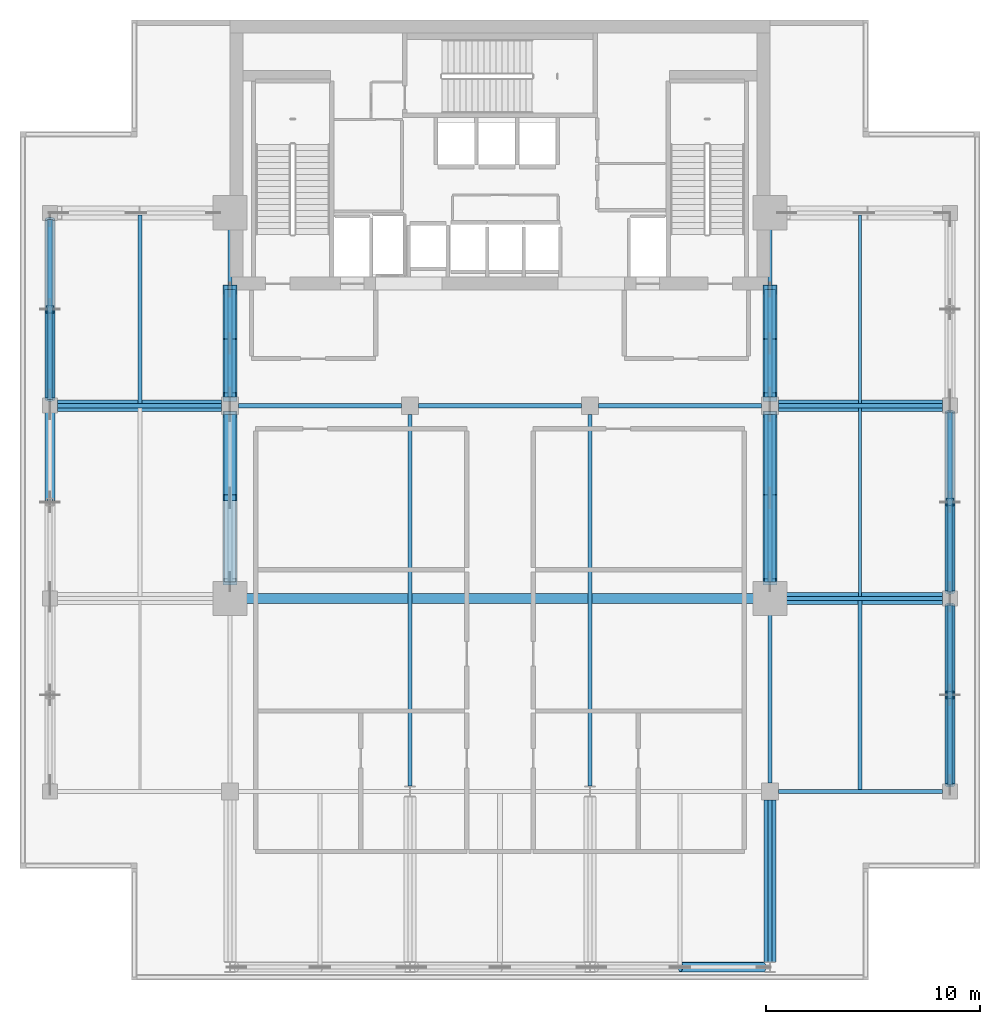
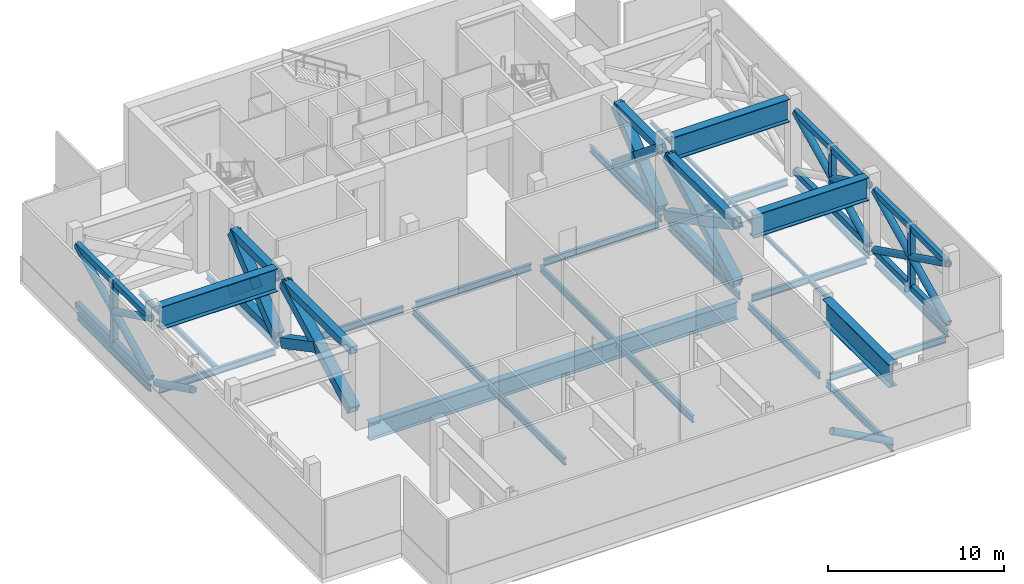
# One storey, part 2 of 11: 36 members, 26 beams.
"""IFC4 building model written with IfcOpenShell, lengths in metres."""

from ifc_helpers import new_model, si_unit, direction, frame, origin, origin_2d, place, context, subcontext, project, spatial, hollow_rectangle, hollow_circle, i_section, extrude, material, material_profile, profile_set, type_object, element, save


model = new_model("IFC4")

# Units and contexts
model_context = context("Model", 3, precision=1e-05, world=origin(), true_north=direction((0.0, 1.0)))
body_context = subcontext(model_context, "Body", "Model", "MODEL_VIEW")
ifc_project = project(units=[si_unit("LENGTHUNIT", "METRE"), si_unit("AREAUNIT", "SQUARE_METRE"), si_unit("VOLUMEUNIT", "CUBIC_METRE"), si_unit("PLANEANGLEUNIT", "RADIAN"), si_unit("MASSUNIT", "GRAM", prefix="KILO")], contexts=[model_context])

# Site, building, storey
site_placement = place(None, origin())
site = spatial("IfcSite", under=ifc_project, at=site_placement, CompositionType="ELEMENT")
building_placement = place(site_placement, origin())
building = spatial("IfcBuilding", under=site, at=building_placement, Name="Maruvema Waterfront Hotel and Observation Tower", CompositionType="ELEMENT")
storey_placement = place(building_placement, frame((0.0, 0.0, 316.39990234375)))
storey = spatial("IfcBuildingStorey", under=building, at=storey_placement, Name="L78", CompositionType="ELEMENT", Elevation=316.39990234375)

# Members
ifc_material_1 = material(Name="Steel ABNT NBR 7007 AR 415 (ASTM A572 Grade 50)", Category="steel")
ifc_material_profile_1 = material_profile(ifc_material_1, hollow_rectangle(XDim=0.5, YDim=0.5, WallThickness=0.028076171875, at=origin_2d()), Name="SHS500x500x28.0")
ifc_profile_set_1 = profile_set([ifc_material_profile_1], Name="Steel ABNT NBR 7007 AR 415 (ASTM A572 Grade 50)")
member_type_1 = type_object("IfcMemberType", Name="Outrigger Truss Chord SHS500x500x28.0", PredefinedType="CHORD", material=ifc_profile_set_1)
member_1_placement = place(storey_placement, frame((25.199951171875, 27.780029296875, 4.380126953125), z_axis=(0.0, 1.0, 0.0), x_axis=(-1.0, 0.0, 0.0)))
element("IfcMember", 1, at=member_1_placement, inside=storey, type_object=member_type_1, Name="L78 Outrigger Truss Top Chord W1", PredefinedType="CHORD", context=body_context, shape_type="SweptSolid", body=[
    extrude(hollow_rectangle(XDim=0.5, YDim=0.5, WallThickness=0.028076171875, at=origin_2d()), origin(), (0.0, 0.0, 1.0), 7.820068359375),
])
for number, where, z_axis, x_axis, name in (
    (2, (25.199951171875, 36.39990234375, 0.25), (0.0, 1.0, 0.0), (-1.0, 0.0, 0.0), "L78 Outrigger Truss Bottom Chord W2"),
    (3, (25.199951171875, 36.39990234375, 4.380126953125), (0.0, 1.0, 0.0), (-1.0, 0.0, 0.0), "L78 Outrigger Truss Top Chord W2"),
):
    element("IfcMember", number, at=place(storey_placement, frame(where, z_axis=z_axis, x_axis=x_axis)), inside=storey, type_object=member_type_1, Name=name, PredefinedType="CHORD", context=body_context, shape_type="SweptSolid", body=[
        extrude(hollow_rectangle(XDim=0.5, YDim=0.5, WallThickness=0.028076171875, at=origin_2d()), origin(), (0.0, 0.0, 1.0), 5.02001953125),
    ])
for number, where, z_axis, x_axis, name in (
    (4, (50.39990234375, 27.780029296875, 0.25), (0.0, 1.0, 0.0), (-1.0, 0.0, 0.0), "L78 Outrigger Truss Bottom Chord E1"),
    (5, (50.39990234375, 27.780029296875, 4.380126953125), (0.0, 1.0, 0.0), (-1.0, 0.0, 0.0), "L78 Outrigger Truss Top Chord E1"),
):
    element("IfcMember", number, at=place(storey_placement, frame(where, z_axis=z_axis, x_axis=x_axis)), inside=storey, type_object=member_type_1, Name=name, PredefinedType="CHORD", context=body_context, shape_type="SweptSolid", body=[
        extrude(hollow_rectangle(XDim=0.5, YDim=0.5, WallThickness=0.028076171875, at=origin_2d()), origin(), (0.0, 0.0, 1.0), 7.820068359375),
    ])
for number, where, z_axis, x_axis, name in (
    (6, (50.39990234375, 36.39990234375, 0.25), (0.0, 1.0, 0.0), (-1.0, 0.0, 0.0), "L78 Outrigger Truss Bottom Chord E2"),
    (7, (50.39990234375, 36.39990234375, 4.380126953125), (0.0, 1.0, 0.0), (-1.0, 0.0, 0.0), "L78 Outrigger Truss Top Chord E2"),
):
    element("IfcMember", number, at=place(storey_placement, frame(where, z_axis=z_axis, x_axis=x_axis)), inside=storey, type_object=member_type_1, Name=name, PredefinedType="CHORD", context=body_context, shape_type="SweptSolid", body=[
        extrude(hollow_rectangle(XDim=0.5, YDim=0.5, WallThickness=0.028076171875, at=origin_2d()), origin(), (0.0, 0.0, 1.0), 5.02001953125),
    ])
ifc_material_2 = material(Name="Steel ABNT NBR 7007 AR 415 (ASTM A572 Grade 50)", Category="steel")
ifc_material_profile_2 = material_profile(ifc_material_2, hollow_rectangle(XDim=0.64990234375, YDim=0.64990234375, WallThickness=0.035888671875, at=origin_2d()), Name="SHS650x650x36.0")
ifc_profile_set_2 = profile_set([ifc_material_profile_2], Name="Steel ABNT NBR 7007 AR 415 (ASTM A572 Grade 50)")
member_type_2 = type_object("IfcMemberType", Name="Outrigger Truss Diagonal SHS650x650x36.0", PredefinedType="BRACE", material=ifc_profile_set_2)
member_2_placement = place(storey_placement, frame((25.199951171875, 27.780029296875, 0.25), z_axis=(0.0, 0.884250817735, 0.467012303194), x_axis=(-1.0, 0.0, 0.0)))
element("IfcMember", 8, at=member_2_placement, inside=storey, type_object=member_type_2, Name="L78 Outrigger Truss Diagonal W1 Continuous A", PredefinedType="BRACE", context=body_context, shape_type="SweptSolid", body=[
    extrude(hollow_rectangle(XDim=0.64990234375, YDim=0.64990234375, WallThickness=0.035888671875, at=origin_2d()), origin(), (0.0, 0.0, 1.0), 8.84375),
])
member_3_placement = place(storey_placement, frame((25.199951171875, 35.60009765625, 0.25), z_axis=(0.0, -0.884232712279, 0.467046582833), x_axis=(1.0, 0.0, 0.0)))
element("IfcMember", 9, at=member_3_placement, inside=storey, type_object=member_type_2, Name="L78 Outrigger Truss Diagonal W1 Split Lower B1", PredefinedType="BRACE", context=body_context, shape_type="SweptSolid", body=[
    extrude(hollow_rectangle(XDim=0.64990234375, YDim=0.64990234375, WallThickness=0.035888671875, at=origin_2d()), origin(), (0.0, 0.0, 1.0), 4.40185546875),
])
member_4_placement = place(storey_placement, frame((25.199951171875, 36.39990234375, 0.25), z_axis=(0.0, 0.77223261196, 0.635339903537), x_axis=(-1.0, 0.0, 0.0)))
element("IfcMember", 10, at=member_4_placement, inside=storey, type_object=member_type_2, Name="L78 Outrigger Truss Diagonal W2 Continuous A", PredefinedType="BRACE", context=body_context, shape_type="SweptSolid", body=[
    extrude(hollow_rectangle(XDim=0.64990234375, YDim=0.64990234375, WallThickness=0.035888671875, at=origin_2d()), origin(), (0.0, 0.0, 1.0), 6.500732421875),
])
member_5_placement = place(storey_placement, frame((25.199951171875, 41.419921875, 0.25), z_axis=(0.0, -0.772220298989, 0.635354869211), x_axis=(1.0, 0.0, 0.0)))
element("IfcMember", 11, at=member_5_placement, inside=storey, type_object=member_type_2, Name="L78 Outrigger Truss Diagonal W2 Split Lower B1", PredefinedType="BRACE", context=body_context, shape_type="SweptSolid", body=[
    extrude(hollow_rectangle(XDim=0.64990234375, YDim=0.64990234375, WallThickness=0.035888671875, at=origin_2d()), origin(), (0.0, 0.0, 1.0), 3.23046875),
])
member_6_placement = place(storey_placement, frame((25.199951171875, 38.89453125, 2.327880859375), z_axis=(0.0, -0.77225737887, 0.635309799059), x_axis=(1.0, 0.0, 0.0)))
element("IfcMember", 12, at=member_6_placement, inside=storey, type_object=member_type_2, Name="L78 Outrigger Truss Diagonal W2 Split Upper B2", PredefinedType="BRACE", context=body_context, shape_type="SweptSolid", body=[
    extrude(hollow_rectangle(XDim=0.64990234375, YDim=0.64990234375, WallThickness=0.035888671875, at=origin_2d()), origin(), (0.0, 0.0, 1.0), 3.230224609375),
])
member_7_placement = place(storey_placement, frame((50.39990234375, 27.780029296875, 0.25), z_axis=(0.0, 0.884250817735, 0.467012303194), x_axis=(-1.0, 0.0, 0.0)))
element("IfcMember", 13, at=member_7_placement, inside=storey, type_object=member_type_2, Name="L78 Outrigger Truss Diagonal E1 Continuous A", PredefinedType="BRACE", context=body_context, shape_type="SweptSolid", body=[
    extrude(hollow_rectangle(XDim=0.64990234375, YDim=0.64990234375, WallThickness=0.035888671875, at=origin_2d()), origin(), (0.0, 0.0, 1.0), 8.84375),
])
for number, where, z_axis, x_axis, name in (
    (14, (50.39990234375, 35.60009765625, 0.25), (0.0, -0.884232712279, 0.467046582833), (1.0, 0.0, 0.0), "L78 Outrigger Truss Diagonal E1 Split Lower B1"),
    (15, (50.39990234375, 31.67236328125, 2.324462890625), (0.0, -0.88425561644, 0.467003217113), (1.0, 0.0, 0.0), "L78 Outrigger Truss Diagonal E1 Split Upper B2"),
):
    element("IfcMember", number, at=place(storey_placement, frame(where, z_axis=z_axis, x_axis=x_axis)), inside=storey, type_object=member_type_2, Name=name, PredefinedType="BRACE", context=body_context, shape_type="SweptSolid", body=[
        extrude(hollow_rectangle(XDim=0.64990234375, YDim=0.64990234375, WallThickness=0.035888671875, at=origin_2d()), origin(), (0.0, 0.0, 1.0), 4.40185546875),
    ])
member_8_placement = place(storey_placement, frame((50.39990234375, 36.39990234375, 0.25), z_axis=(0.0, 0.77223261196, 0.635339903537), x_axis=(-1.0, 0.0, 0.0)))
element("IfcMember", 16, at=member_8_placement, inside=storey, type_object=member_type_2, Name="L78 Outrigger Truss Diagonal E2 Continuous A", PredefinedType="BRACE", context=body_context, shape_type="SweptSolid", body=[
    extrude(hollow_rectangle(XDim=0.64990234375, YDim=0.64990234375, WallThickness=0.035888671875, at=origin_2d()), origin(), (0.0, 0.0, 1.0), 6.500732421875),
])
member_9_placement = place(storey_placement, frame((50.39990234375, 41.419921875, 0.25), z_axis=(0.0, -0.772220298989, 0.635354869211), x_axis=(1.0, 0.0, 0.0)))
element("IfcMember", 17, at=member_9_placement, inside=storey, type_object=member_type_2, Name="L78 Outrigger Truss Diagonal E2 Split Lower B1", PredefinedType="BRACE", context=body_context, shape_type="SweptSolid", body=[
    extrude(hollow_rectangle(XDim=0.64990234375, YDim=0.64990234375, WallThickness=0.035888671875, at=origin_2d()), origin(), (0.0, 0.0, 1.0), 3.23046875),
])
member_10_placement = place(storey_placement, frame((50.39990234375, 38.89453125, 2.327880859375), z_axis=(0.0, -0.77225737887, 0.635309799059), x_axis=(1.0, 0.0, 0.0)))
element("IfcMember", 18, at=member_10_placement, inside=storey, type_object=member_type_2, Name="L78 Outrigger Truss Diagonal E2 Split Upper B2", PredefinedType="BRACE", context=body_context, shape_type="SweptSolid", body=[
    extrude(hollow_rectangle(XDim=0.64990234375, YDim=0.64990234375, WallThickness=0.035888671875, at=origin_2d()), origin(), (0.0, 0.0, 1.0), 3.230224609375),
])
ifc_material_3 = material(Name="Steel ABNT NBR 7007 AR 415 (ASTM A572 Grade 50)", Category="steel")
ifc_material_profile_3 = material_profile(ifc_material_3, hollow_rectangle(XDim=0.300048828125, YDim=0.39990234375, WallThickness=0.02001953125, at=origin_2d()), Name="RHS400x300x20.0")
ifc_profile_set_3 = profile_set([ifc_material_profile_3], Name="Steel ABNT NBR 7007 AR 415 (ASTM A572 Grade 50)")
member_type_3 = type_object("IfcMemberType", Name="Perimeter Belt Truss Chord RHS400x300x20.0", PredefinedType="CHORD", material=ifc_profile_set_3)
for number, where, z_axis, x_axis, name in (
    (19, (16.800048828125, 36.300048828125, 0.25), (0.0, 1.0, 0.0), (-1.0, 0.0, 0.0), "L78 Perimeter Belt Truss Chord W3"),
    (20, (16.800048828125, 36.300048828125, 4.380126953125), (0.0, 1.0, 0.0), (-1.0, 0.0, 0.0), "L78 Perimeter Belt Truss Top Chord W3"),
    (21, (58.800048828125, 18.300048828125, 0.25), (0.0, 1.0, 0.0), (-1.0, 0.0, 0.0), "L78 Perimeter Belt Truss Chord E4"),
    (22, (58.800048828125, 18.300048828125, 4.380126953125), (0.0, 1.0, 0.0), (-1.0, 0.0, 0.0), "L78 Perimeter Belt Truss Top Chord E4"),
    (23, (58.800048828125, 27.300048828125, 0.25), (0.0, 1.0, 0.0), (-1.0, 0.0, 0.0), "L78 Perimeter Belt Truss Chord E5"),
    (24, (58.800048828125, 27.300048828125, 4.380126953125), (0.0, 1.0, 0.0), (-1.0, 0.0, 0.0), "L78 Perimeter Belt Truss Top Chord E5"),
):
    element("IfcMember", number, at=place(storey_placement, frame(where, z_axis=z_axis, x_axis=x_axis)), inside=storey, type_object=member_type_3, Name=name, PredefinedType="CHORD", context=body_context, shape_type="SweptSolid", body=[
        extrude(hollow_rectangle(XDim=0.300048828125, YDim=0.39990234375, WallThickness=0.02001953125, at=origin_2d()), origin(), (0.0, 0.0, 1.0), 8.39990234375),
    ])
ifc_material_4 = material(Name="Steel ABNT NBR 7007 AR 350 (ASTM A572 Grade 50)", Category="steel")
ifc_material_profile_4 = material_profile(ifc_material_4, hollow_circle(Radius=0.228515625, WallThickness=0.02001953125, at=origin_2d()), Name="CHS457.0x20.0")
ifc_profile_set_4 = profile_set([ifc_material_profile_4], Name="Steel ABNT NBR 7007 AR 350 (ASTM A572 Grade 50)")
member_type_4 = type_object("IfcMemberType", Name="Perimeter Belt Truss Diagonal CHS457.0x20.0", PredefinedType="BRACE", material=ifc_profile_set_4)
member_11_placement = place(storey_placement, frame((16.800048828125, 35.699951171875, 0.25), z_axis=(0.0, -0.897382953246, 0.441252575317), x_axis=(1.0, 0.0, 0.0)))
element("IfcMember", 25, at=member_11_placement, inside=storey, type_object=member_type_4, Name="L78 Perimeter Belt Truss Diagonal W2 Split Lower B1", PredefinedType="BRACE", context=body_context, shape_type="SweptSolid", body=[
    extrude(hollow_circle(Radius=0.228515625, WallThickness=0.02001953125, at=origin_2d()), origin(), (0.0, 0.0, 1.0), 4.660400390625),
])
member_12_placement = place(storey_placement, frame((16.800048828125, 36.300048828125, 0.25), z_axis=(0.0, 0.897391109311, 0.441235987799), x_axis=(-1.0, 0.0, 0.0)))
element("IfcMember", 26, at=member_12_placement, inside=storey, type_object=member_type_4, Name="L78 Perimeter Belt Truss Diagonal W3 Continuous A", PredefinedType="BRACE", context=body_context, shape_type="SweptSolid", body=[
    extrude(hollow_circle(Radius=0.228515625, WallThickness=0.02001953125, at=origin_2d()), origin(), (0.0, 0.0, 1.0), 9.3603515625),
])
member_13_placement = place(storey_placement, frame((16.800048828125, 40.482177734375, 2.323974609375), z_axis=(0.0, -0.8974036964, 0.441210387103), x_axis=(1.0, 0.0, 0.0)))
element("IfcMember", 27, at=member_13_placement, inside=storey, type_object=member_type_4, Name="L78 Perimeter Belt Truss Diagonal W3 Split Upper B2", PredefinedType="BRACE", context=body_context, shape_type="SweptSolid", body=[
    extrude(hollow_circle(Radius=0.228515625, WallThickness=0.02001953125, at=origin_2d()), origin(), (0.0, 0.0, 1.0), 4.66015625),
])
member_14_placement = place(storey_placement, frame((58.800048828125, 18.300048828125, 0.25), z_axis=(0.0, 0.897391109311, 0.441235987799), x_axis=(-1.0, 0.0, 0.0)))
element("IfcMember", 28, at=member_14_placement, inside=storey, type_object=member_type_4, Name="L78 Perimeter Belt Truss Diagonal E4 Continuous A", PredefinedType="BRACE", context=body_context, shape_type="SweptSolid", body=[
    extrude(hollow_circle(Radius=0.228515625, WallThickness=0.02001953125, at=origin_2d()), origin(), (0.0, 0.0, 1.0), 9.3603515625),
])
member_15_placement = place(storey_placement, frame((58.800048828125, 26.699951171875, 0.25), z_axis=(0.0, -0.897382953246, 0.441252575317), x_axis=(1.0, 0.0, 0.0)))
element("IfcMember", 29, at=member_15_placement, inside=storey, type_object=member_type_4, Name="L78 Perimeter Belt Truss Diagonal E4 Split Lower B1", PredefinedType="BRACE", context=body_context, shape_type="SweptSolid", body=[
    extrude(hollow_circle(Radius=0.228515625, WallThickness=0.02001953125, at=origin_2d()), origin(), (0.0, 0.0, 1.0), 4.660400390625),
])
member_16_placement = place(storey_placement, frame((58.800048828125, 22.482177734375, 2.323974609375), z_axis=(0.0, -0.8974036964, 0.441210387103), x_axis=(1.0, 0.0, 0.0)))
element("IfcMember", 30, at=member_16_placement, inside=storey, type_object=member_type_4, Name="L78 Perimeter Belt Truss Diagonal E4 Split Upper B2", PredefinedType="BRACE", context=body_context, shape_type="SweptSolid", body=[
    extrude(hollow_circle(Radius=0.228515625, WallThickness=0.02001953125, at=origin_2d()), origin(), (0.0, 0.0, 1.0), 4.66015625),
])
member_17_placement = place(storey_placement, frame((58.800048828125, 27.300048828125, 0.25), z_axis=(0.0, 0.897391109311, 0.441235987799), x_axis=(-1.0, 0.0, 0.0)))
element("IfcMember", 31, at=member_17_placement, inside=storey, type_object=member_type_4, Name="L78 Perimeter Belt Truss Diagonal E5 Continuous A", PredefinedType="BRACE", context=body_context, shape_type="SweptSolid", body=[
    extrude(hollow_circle(Radius=0.228515625, WallThickness=0.02001953125, at=origin_2d()), origin(), (0.0, 0.0, 1.0), 9.3603515625),
])
member_18_placement = place(storey_placement, frame((58.800048828125, 31.482177734375, 2.323974609375), z_axis=(0.0, -0.8974036964, 0.441210387103), x_axis=(1.0, 0.0, 0.0)))
element("IfcMember", 32, at=member_18_placement, inside=storey, type_object=member_type_4, Name="L78 Perimeter Belt Truss Diagonal E5 Split Upper B2", PredefinedType="BRACE", context=body_context, shape_type="SweptSolid", body=[
    extrude(hollow_circle(Radius=0.228515625, WallThickness=0.02001953125, at=origin_2d()), origin(), (0.0, 0.0, 1.0), 4.66015625),
])
member_19_placement = place(storey_placement, frame((50.10009765625, 9.800048828125, 0.25), z_axis=(-0.883758174274, 0.0, 0.467943895572), x_axis=(0.0, -1.0, 0.0)))
element("IfcMember", 33, at=member_19_placement, inside=storey, type_object=member_type_4, Name="L78 South Perimeter Belt Truss Diagonal 3 Split Lower B1", PredefinedType="BRACE", context=body_context, shape_type="SweptSolid", body=[
    extrude(hollow_circle(Radius=0.228515625, WallThickness=0.02001953125, at=origin_2d()), origin(), (0.0, 0.0, 1.0), 4.39306640625),
])
ifc_material_5 = material(Name="Steel ABNT NBR 7007 AR 415 (ASTM A572 Grade 50)", Category="steel")
ifc_material_profile_5 = material_profile(ifc_material_5, hollow_rectangle(XDim=0.35009765625, YDim=0.35009765625, WallThickness=0.02001953125, at=origin_2d()), Name="SHS350x350x20.0")
ifc_profile_set_5 = profile_set([ifc_material_profile_5], Name="Steel ABNT NBR 7007 AR 415 (ASTM A572 Grade 50)")
member_type_5 = type_object("IfcMemberType", Name="Perimeter Belt Truss Post SHS350x350x20.0", PredefinedType="POST", material=ifc_profile_set_5)
for number, where, z_axis, x_axis, name in (
    (34, (16.800048828125, 40.5, 0.25), (0.0, 0.0, 1.0), (1.0, 0.0, 0.0), "L78 Perimeter Belt Truss Post W3"),
    (35, (58.800048828125, 22.5, 0.25), (0.0, 0.0, 1.0), (1.0, 0.0, 0.0), "L78 Perimeter Belt Truss Post E4"),
    (36, (58.800048828125, 31.5, 0.25), (0.0, 0.0, 1.0), (1.0, 0.0, 0.0), "L78 Perimeter Belt Truss Post E5"),
):
    element("IfcMember", number, at=place(storey_placement, frame(where, z_axis=z_axis, x_axis=x_axis)), inside=storey, type_object=member_type_5, Name=name, PredefinedType="POST", context=body_context, shape_type="SweptSolid", body=[
        extrude(hollow_rectangle(XDim=0.35009765625, YDim=0.35009765625, WallThickness=0.02001953125, at=origin_2d()), origin(), (0.0, 0.0, 1.0), 4.130126953125),
    ])

# Beams
ifc_material_6 = material(Name="Steel ASTM A572 Grade 50", Category="steel")
ifc_material_profile_6 = material_profile(ifc_material_6, i_section(OverallWidth=0.194091796875, OverallDepth=0.468994140625, WebThickness=0.0126953125, FlangeThickness=0.0205078125, FilletRadius=0.014892578125, at=origin_2d()), Name="W460x106.0")
ifc_profile_set_6 = profile_set([ifc_material_profile_6], Name="Steel ASTM A572 Grade 50")
beam_type_1 = type_object("IfcBeamType", Name="Primary Floor Girder W460x106.0", PredefinedType="BEAM", material=ifc_profile_set_6)
beam_1_placement = place(storey_placement, frame((50.800048828125, 18.0, -0.534423828125), z_axis=(1.0, 0.0, 0.0), x_axis=(0.0, 1.0, 0.0)))
element("IfcBeam", 37, at=beam_1_placement, inside=storey, type_object=beam_type_1, Name="L78 Floor Girder EW-08", PredefinedType="BEAM", context=body_context, shape_type="SweptSolid", body=[
    extrude(i_section(OverallWidth=0.194091796875, OverallDepth=0.468994140625, WebThickness=0.0126953125, FlangeThickness=0.0205078125, FilletRadius=0.014892578125, at=origin_2d()), origin(), (0.0, 0.0, 1.0), 7.64990234375),
])
beam_2_placement = place(storey_placement, frame((50.89990234375, 27.0, -0.534423828125), z_axis=(1.0, 0.0, 0.0), x_axis=(0.0, 1.0, 0.0)))
element("IfcBeam", 38, at=beam_2_placement, inside=storey, type_object=beam_type_1, Name="L78 Floor Girder EW-11", PredefinedType="BEAM", context=body_context, shape_type="SweptSolid", body=[
    extrude(i_section(OverallWidth=0.194091796875, OverallDepth=0.468994140625, WebThickness=0.0126953125, FlangeThickness=0.0205078125, FilletRadius=0.014892578125, at=origin_2d()), origin(), (0.0, 0.0, 1.0), 7.550048828125),
])
beam_3_placement = place(storey_placement, frame((17.14990234375, 36.0, -0.534423828125), z_axis=(1.0, 0.0, 0.0), x_axis=(0.0, 1.0, 0.0)))
element("IfcBeam", 39, at=beam_3_placement, inside=storey, type_object=beam_type_1, Name="L78 Floor Girder EW-12", PredefinedType="BEAM", context=body_context, shape_type="SweptSolid", body=[
    extrude(i_section(OverallWidth=0.194091796875, OverallDepth=0.468994140625, WebThickness=0.0126953125, FlangeThickness=0.0205078125, FilletRadius=0.014892578125, at=origin_2d()), origin(), (0.0, 0.0, 1.0), 7.650146484375),
])
beam_4_placement = place(storey_placement, frame((25.60009765625, 36.0, -0.534423828125), z_axis=(1.0, 0.0, 0.0), x_axis=(0.0, 1.0, 0.0)))
element("IfcBeam", 40, at=beam_4_placement, inside=storey, type_object=beam_type_1, Name="L78 Floor Girder EW-13", PredefinedType="BEAM", context=body_context, shape_type="SweptSolid", body=[
    extrude(i_section(OverallWidth=0.194091796875, OverallDepth=0.468994140625, WebThickness=0.0126953125, FlangeThickness=0.0205078125, FilletRadius=0.014892578125, at=origin_2d()), origin(), (0.0, 0.0, 1.0), 7.599853515625),
])
for number, where, z_axis, x_axis, name in (
    (41, (34.0, 36.0, -0.534423828125), (1.0, 0.0, 0.0), (0.0, 1.0, 0.0), "L78 Floor Girder EW-14"),
    (42, (42.39990234375, 36.0, -0.534423828125), (1.0, 0.0, 0.0), (0.0, 1.0, 0.0), "L78 Floor Girder EW-15"),
):
    element("IfcBeam", number, at=place(storey_placement, frame(where, z_axis=z_axis, x_axis=x_axis)), inside=storey, type_object=beam_type_1, Name=name, PredefinedType="BEAM", context=body_context, shape_type="SweptSolid", body=[
        extrude(i_section(OverallWidth=0.194091796875, OverallDepth=0.468994140625, WebThickness=0.0126953125, FlangeThickness=0.0205078125, FilletRadius=0.014892578125, at=origin_2d()), origin(), (0.0, 0.0, 1.0), 7.60009765625),
    ])
beam_5_placement = place(storey_placement, frame((50.800048828125, 36.0, -0.534423828125), z_axis=(1.0, 0.0, 0.0), x_axis=(0.0, 1.0, 0.0)))
element("IfcBeam", 43, at=beam_5_placement, inside=storey, type_object=beam_type_1, Name="L78 Floor Girder EW-16", PredefinedType="BEAM", context=body_context, shape_type="SweptSolid", body=[
    extrude(i_section(OverallWidth=0.194091796875, OverallDepth=0.468994140625, WebThickness=0.0126953125, FlangeThickness=0.0205078125, FilletRadius=0.014892578125, at=origin_2d()), origin(), (0.0, 0.0, 1.0), 7.64990234375),
])
beam_6_placement = place(storey_placement, frame((16.800048828125, 36.35009765625, -0.534423828125), z_axis=(0.0, 1.0, 0.0), x_axis=(-1.0, 0.0, 0.0)))
element("IfcBeam", 44, at=beam_6_placement, inside=storey, type_object=beam_type_1, Name="L78 Floor Girder NS-03", PredefinedType="BEAM", context=body_context, shape_type="SweptSolid", body=[
    extrude(i_section(OverallWidth=0.194091796875, OverallDepth=0.468994140625, WebThickness=0.0126953125, FlangeThickness=0.0205078125, FilletRadius=0.014892578125, at=origin_2d()), origin(), (0.0, 0.0, 1.0), 8.2998046875),
])
beam_7_placement = place(storey_placement, frame((25.199951171875, 36.39990234375, -0.534423828125), z_axis=(0.0, 1.0, 0.0), x_axis=(-1.0, 0.0, 0.0)))
element("IfcBeam", 45, at=beam_7_placement, inside=storey, type_object=beam_type_1, Name="L78 Floor Girder NS-07", PredefinedType="BEAM", context=body_context, shape_type="SweptSolid", body=[
    extrude(i_section(OverallWidth=0.194091796875, OverallDepth=0.468994140625, WebThickness=0.0126953125, FlangeThickness=0.0205078125, FilletRadius=0.014892578125, at=origin_2d()), origin(), (0.0, 0.0, 1.0), 8.10009765625),
])
for number, where, z_axis, x_axis, name in (
    (46, (33.60009765625, 18.25, -0.534423828125), (0.0, 1.0, 0.0), (-1.0, 0.0, 0.0), "L78 Floor Girder NS-09"),
    (47, (42.0, 18.25, -0.534423828125), (0.0, 1.0, 0.0), (-1.0, 0.0, 0.0), "L78 Floor Girder NS-11"),
):
    element("IfcBeam", number, at=place(storey_placement, frame(where, z_axis=z_axis, x_axis=x_axis)), inside=storey, type_object=beam_type_1, Name=name, PredefinedType="BEAM", context=body_context, shape_type="SweptSolid", body=[
        extrude(i_section(OverallWidth=0.194091796875, OverallDepth=0.468994140625, WebThickness=0.0126953125, FlangeThickness=0.0205078125, FilletRadius=0.014892578125, at=origin_2d()), origin(), (0.0, 0.0, 1.0), 17.35009765625),
    ])
beam_8_placement = place(storey_placement, frame((50.39990234375, 10.050048828125, -0.534423828125), z_axis=(0.0, 1.0, 0.0), x_axis=(-1.0, 0.0, 0.0)))
element("IfcBeam", 48, at=beam_8_placement, inside=storey, type_object=beam_type_1, Name="L78 Floor Girder NS-12", PredefinedType="BEAM", context=body_context, shape_type="SweptSolid", body=[
    extrude(i_section(OverallWidth=0.194091796875, OverallDepth=0.468994140625, WebThickness=0.0126953125, FlangeThickness=0.0205078125, FilletRadius=0.014892578125, at=origin_2d()), origin(), (0.0, 0.0, 1.0), 7.550048828125),
])
for number, where, z_axis, x_axis, name in (
    (49, (50.39990234375, 18.39990234375, -0.534423828125), (0.0, 1.0, 0.0), (-1.0, 0.0, 0.0), "L78 Floor Girder NS-13"),
    (50, (50.39990234375, 27.5, -0.534423828125), (0.0, 1.0, 0.0), (-1.0, 0.0, 0.0), "L78 Floor Girder NS-14"),
    (51, (50.39990234375, 36.39990234375, -0.534423828125), (0.0, 1.0, 0.0), (-1.0, 0.0, 0.0), "L78 Floor Girder NS-15"),
):
    element("IfcBeam", number, at=place(storey_placement, frame(where, z_axis=z_axis, x_axis=x_axis)), inside=storey, type_object=beam_type_1, Name=name, PredefinedType="BEAM", context=body_context, shape_type="SweptSolid", body=[
        extrude(i_section(OverallWidth=0.194091796875, OverallDepth=0.468994140625, WebThickness=0.0126953125, FlangeThickness=0.0205078125, FilletRadius=0.014892578125, at=origin_2d()), origin(), (0.0, 0.0, 1.0), 8.10009765625),
    ])
for number, where, z_axis, x_axis, name in (
    (52, (58.800048828125, 18.35009765625, -0.534423828125), (0.0, 1.0, 0.0), (-1.0, 0.0, 0.0), "L78 Floor Girder NS-16"),
    (53, (58.800048828125, 27.35009765625, -0.534423828125), (0.0, 1.0, 0.0), (-1.0, 0.0, 0.0), "L78 Floor Girder NS-17"),
):
    element("IfcBeam", number, at=place(storey_placement, frame(where, z_axis=z_axis, x_axis=x_axis)), inside=storey, type_object=beam_type_1, Name=name, PredefinedType="BEAM", context=body_context, shape_type="SweptSolid", body=[
        extrude(i_section(OverallWidth=0.194091796875, OverallDepth=0.468994140625, WebThickness=0.0126953125, FlangeThickness=0.0205078125, FilletRadius=0.014892578125, at=origin_2d()), origin(), (0.0, 0.0, 1.0), 8.2998046875),
    ])
ifc_material_7 = material(Name="Steel ASTM A572 Grade 50", Category="steel")
ifc_material_profile_7 = material_profile(ifc_material_7, i_section(OverallWidth=0.14599609375, OverallDepth=0.258056640625, WebThickness=0.006103515625, FlangeThickness=0.009033203125, FilletRadius=0.012939453125, at=origin_2d()), Name="W250x32.7")
ifc_profile_set_7 = profile_set([ifc_material_profile_7], Name="Steel ASTM A572 Grade 50")
beam_type_2 = type_object("IfcBeamType", Name="Secondary Floor Joist W250x32.7", PredefinedType="JOIST", material=ifc_profile_set_7)
beam_9_placement = place(storey_placement, frame((54.60009765625, 36.096923828125, -0.428955078125), z_axis=(0.0, 1.0, 0.0), x_axis=(-1.0, 0.0, 0.0)))
element("IfcBeam", 54, at=beam_9_placement, inside=storey, type_object=beam_type_2, Name="L78 Secondary Floor Joist JS-09", PredefinedType="JOIST", context=body_context, shape_type="SweptSolid", body=[
    extrude(i_section(OverallWidth=0.14599609375, OverallDepth=0.258056640625, WebThickness=0.006103515625, FlangeThickness=0.009033203125, FilletRadius=0.012939453125, at=origin_2d()), origin(), (0.0, 0.0, 1.0), 8.80615234375),
])
ifc_material_8 = material(Name="Steel ASTM A572 Grade 50", Category="steel")
ifc_material_profile_8 = material_profile(ifc_material_8, i_section(OverallWidth=0.14794921875, OverallDepth=0.26611328125, WebThickness=0.007568359375, FlangeThickness=0.012939453125, FilletRadius=0.012939453125, at=origin_2d()), Name="W250x44.8")
ifc_profile_set_8 = profile_set([ifc_material_profile_8], Name="Steel ASTM A572 Grade 50")
beam_type_3 = type_object("IfcBeamType", Name="Secondary Floor Joist W250x44.8", PredefinedType="JOIST", material=ifc_profile_set_8)
beam_10_placement = place(storey_placement, frame((54.60009765625, 27.096923828125, -0.432861328125), z_axis=(0.0, 1.0, 0.0), x_axis=(-1.0, 0.0, 0.0)))
element("IfcBeam", 55, at=beam_10_placement, inside=storey, type_object=beam_type_3, Name="L78 Secondary Floor Joist JS-08", PredefinedType="JOIST", context=body_context, shape_type="SweptSolid", body=[
    extrude(i_section(OverallWidth=0.14794921875, OverallDepth=0.26611328125, WebThickness=0.007568359375, FlangeThickness=0.012939453125, FilletRadius=0.012939453125, at=origin_2d()), origin(), (0.0, 0.0, 1.0), 8.80615234375),
])
ifc_material_9 = material(Name="Steel ASTM A572 Grade 50", Category="steel")
ifc_material_profile_9 = material_profile(ifc_material_9, i_section(OverallWidth=0.1650390625, OverallDepth=0.31005859375, WebThickness=0.005859375, FlangeThickness=0.009765625, FilletRadius=0.012939453125, at=origin_2d()), Name="W310x38.7")
ifc_profile_set_9 = profile_set([ifc_material_profile_9], Name="Steel ASTM A572 Grade 50")
beam_type_4 = type_object("IfcBeamType", Name="Secondary Floor Joist W310x38.7", PredefinedType="JOIST", material=ifc_profile_set_9)
beam_11_placement = place(storey_placement, frame((54.60009765625, 18.096923828125, -0.454833984375), z_axis=(0.0, 1.0, 0.0), x_axis=(-1.0, 0.0, 0.0)))
element("IfcBeam", 56, at=beam_11_placement, inside=storey, type_object=beam_type_4, Name="L78 Secondary Floor Joist JS-07", PredefinedType="JOIST", context=body_context, shape_type="SweptSolid", body=[
    extrude(i_section(OverallWidth=0.1650390625, OverallDepth=0.31005859375, WebThickness=0.005859375, FlangeThickness=0.009765625, FilletRadius=0.012939453125, at=origin_2d()), origin(), (0.0, 0.0, 1.0), 8.80615234375),
])
ifc_material_10 = material(Name="Steel ASTM A572 Grade 50", Category="steel")
ifc_material_profile_10 = material_profile(ifc_material_10, i_section(OverallWidth=0.202880859375, OverallDepth=0.346923828125, WebThickness=0.0078125, FlangeThickness=0.013427734375, FilletRadius=0.014892578125, at=origin_2d()), Name="W360x64.0")
ifc_profile_set_10 = profile_set([ifc_material_profile_10], Name="Steel ASTM A572 Grade 50")
beam_type_5 = type_object("IfcBeamType", Name="Secondary Floor Joist W360x64.0", PredefinedType="JOIST", material=ifc_profile_set_10)
beam_12_placement = place(storey_placement, frame((21.0, 36.096923828125, -0.473388671875), z_axis=(0.0, 1.0, 0.0), x_axis=(-1.0, 0.0, 0.0)))
element("IfcBeam", 57, at=beam_12_placement, inside=storey, type_object=beam_type_5, Name="L78 Secondary Floor Joist JS-03", PredefinedType="JOIST", context=body_context, shape_type="SweptSolid", body=[
    extrude(i_section(OverallWidth=0.202880859375, OverallDepth=0.346923828125, WebThickness=0.0078125, FlangeThickness=0.013427734375, FilletRadius=0.014892578125, at=origin_2d()), origin(), (0.0, 0.0, 1.0), 8.80615234375),
])
ifc_material_11 = material(Name="Steel ABNT NBR 7007 AR 415 (ASTM A572 Grade 50)", Category="steel")
ifc_material_profile_11 = material_profile(ifc_material_11, i_section(OverallWidth=0.550048828125, OverallDepth=1.60009765625, WebThickness=0.02197265625, FlangeThickness=0.0400390625, at=origin_2d()), Name="VS1600x548")
ifc_profile_set_11 = profile_set([ifc_material_profile_11], Name="Steel ABNT NBR 7007 AR 415 (ASTM A572 Grade 50)")
beam_type_6 = type_object("IfcBeamType", Name="Setback Transfer Girder VS1600x548", PredefinedType="USERDEFINED", material=ifc_profile_set_11)
beam_13_placement = place(storey_placement, frame((50.89990234375, 27.0, 4.56005859375), z_axis=(1.0, 0.0, 0.0), x_axis=(0.0, 1.0, 0.0)))
element("IfcBeam", 58, at=beam_13_placement, inside=storey, type_object=beam_type_6, Name="L78 Setback Transfer Girder E Y=27.0m", ObjectType="TRANSFER GIRDER", PredefinedType="USERDEFINED", context=body_context, shape_type="SweptSolid", body=[
    extrude(i_section(OverallWidth=0.550048828125, OverallDepth=1.60009765625, WebThickness=0.02197265625, FlangeThickness=0.0400390625, at=origin_2d()), origin(), (0.0, 0.0, 1.0), 7.550048828125),
])
beam_14_placement = place(storey_placement, frame((17.14990234375, 36.0, 4.56005859375), z_axis=(1.0, 0.0, 0.0), x_axis=(0.0, 1.0, 0.0)))
element("IfcBeam", 59, at=beam_14_placement, inside=storey, type_object=beam_type_6, Name="L78 Setback Transfer Girder W Y=36.0m", ObjectType="TRANSFER GIRDER", PredefinedType="USERDEFINED", context=body_context, shape_type="SweptSolid", body=[
    extrude(i_section(OverallWidth=0.550048828125, OverallDepth=1.60009765625, WebThickness=0.02197265625, FlangeThickness=0.0400390625, at=origin_2d()), origin(), (0.0, 0.0, 1.0), 7.650146484375),
])
beam_15_placement = place(storey_placement, frame((50.800048828125, 36.0, 4.56005859375), z_axis=(1.0, 0.0, 0.0), x_axis=(0.0, 1.0, 0.0)))
element("IfcBeam", 60, at=beam_15_placement, inside=storey, type_object=beam_type_6, Name="L78 Setback Transfer Girder E Y=36.0m", ObjectType="TRANSFER GIRDER", PredefinedType="USERDEFINED", context=body_context, shape_type="SweptSolid", body=[
    extrude(i_section(OverallWidth=0.550048828125, OverallDepth=1.60009765625, WebThickness=0.02197265625, FlangeThickness=0.0400390625, at=origin_2d()), origin(), (0.0, 0.0, 1.0), 7.64990234375),
])
beam_16_placement = place(storey_placement, frame((50.39990234375, 10.050048828125, 4.56005859375), z_axis=(0.0, 1.0, 0.0), x_axis=(-1.0, 0.0, 0.0)))
element("IfcBeam", 61, at=beam_16_placement, inside=storey, type_object=beam_type_6, Name="L78 South Setback Transfer Girder X=50.4m", ObjectType="TRANSFER GIRDER", PredefinedType="USERDEFINED", context=body_context, shape_type="SweptSolid", body=[
    extrude(i_section(OverallWidth=0.550048828125, OverallDepth=1.60009765625, WebThickness=0.02197265625, FlangeThickness=0.0400390625, at=origin_2d()), origin(), (0.0, 0.0, 1.0), 7.550048828125),
])
ifc_material_12 = material(Name="Steel ABNT NBR 7007 AR 415 (ASTM A572 Grade 50)", Category="steel")
ifc_material_profile_12 = material_profile(ifc_material_12, i_section(OverallWidth=0.449951171875, OverallDepth=1.199951171875, WebThickness=0.01904296875, FlangeThickness=0.031982421875, at=origin_2d()), Name="VS1200x366")
ifc_profile_set_12 = profile_set([ifc_material_profile_12], Name="Steel ABNT NBR 7007 AR 415 (ASTM A572 Grade 50)")
beam_type_7 = type_object("IfcBeamType", Name="Upper Setback Transfer Girder VS1200x366", PredefinedType="USERDEFINED", material=ifc_profile_set_12)
beam_17_placement = place(storey_placement, frame((25.699951171875, 27.0, -0.89990234375), z_axis=(1.0, 0.0, 0.0), x_axis=(0.0, 1.0, 0.0)))
element("IfcBeam", 62, at=beam_17_placement, inside=storey, type_object=beam_type_7, Name="L78 Floor Girder EW-10", ObjectType="TRANSFER GIRDER", PredefinedType="USERDEFINED", context=body_context, shape_type="SweptSolid", body=[
    extrude(i_section(OverallWidth=0.449951171875, OverallDepth=1.199951171875, WebThickness=0.01904296875, FlangeThickness=0.031982421875, at=origin_2d()), origin(), (0.0, 0.0, 1.0), 24.199951171875),
])

save(model, "model.ifc")
